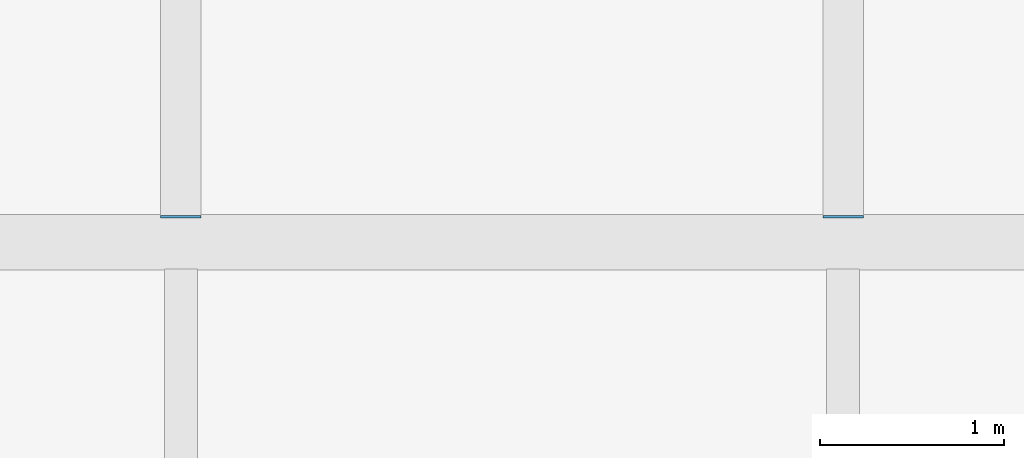
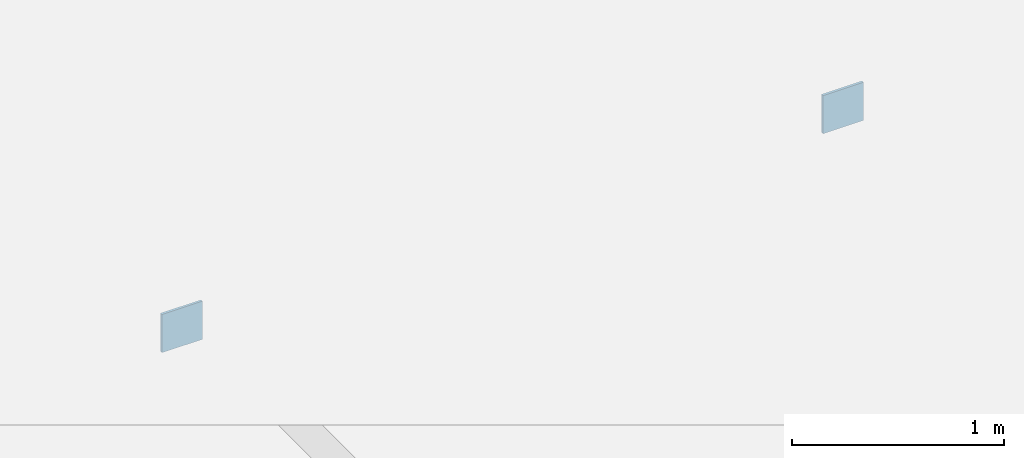
# One storey, part 74 of 100: 2 plates.
"""IFC4 building model written with IfcOpenShell, lengths in metres."""

from ifc_helpers import new_model, si_unit, direction, frame, origin, origin_2d, place, context, subcontext, project, spatial, rectangle, extrude, material, layer, layer_set, type_object, element, save


model = new_model("IFC4")

# Units and contexts
model_context = context("Model", 3, precision=1e-05, world=origin(), true_north=direction((0.0, 1.0)))
body_context = subcontext(model_context, "Body", "Model", "MODEL_VIEW")
ifc_project = project(units=[si_unit("LENGTHUNIT", "METRE"), si_unit("AREAUNIT", "SQUARE_METRE"), si_unit("VOLUMEUNIT", "CUBIC_METRE"), si_unit("PLANEANGLEUNIT", "RADIAN"), si_unit("MASSUNIT", "GRAM", prefix="KILO")], contexts=[model_context])

# Site, building, storey
site_placement = place(None, origin())
site = spatial("IfcSite", under=ifc_project, at=site_placement, CompositionType="ELEMENT")
building_placement = place(site_placement, origin())
building = spatial("IfcBuilding", under=site, at=building_placement, Name="Tasgan Crest Museum", CompositionType="ELEMENT")
storey_placement = place(building_placement, frame((0.0, 0.0, 9.60009765625)))
storey = spatial("IfcBuildingStorey", under=building, at=storey_placement, Name="L02", CompositionType="ELEMENT", Elevation=9.60009765625)

# Plates
ifc_material = material(Name="Steel S355K2", Category="steel")
ifc_layer = layer(ifc_material, 0.219970703125, Name="PL-CAP-14x220x220")
ifc_layer_set = layer_set([ifc_layer], Name="Steel S355K2")
plate_type = type_object("IfcPlateType", Name="PL-CAP-14x220x220", PredefinedType="USERDEFINED", material=ifc_layer_set)
for number, where, z_axis, x_axis, name in (
    (1, (57.60009765625, 62.137939453125, -0.4599609375), (0.0, 0.0, 1.0), (0.0, 1.0, 0.0), "End plate Secondary joist L02 X=57.6 Y=62.0-72.0 end A"),
    (2, (61.199951171875, 62.137939453125, -0.4599609375), (0.0, 0.0, 1.0), (0.0, 1.0, 0.0), "End plate Secondary joist L02 X=61.2 Y=62.0-72.0 end A"),
):
    element("IfcPlate", number, at=place(storey_placement, frame(where, z_axis=z_axis, x_axis=x_axis)), inside=storey, type_object=plate_type, Name=name, ObjectType="END PLATE", PredefinedType="USERDEFINED", context=body_context, shape_type="SweptSolid", body=[
        extrude(rectangle(XDim=0.013916015625, YDim=0.219970703125, at=origin_2d()), origin(), (0.0, 0.0, 1.0), 0.219970703125),
    ])

save(model, "model.ifc")
